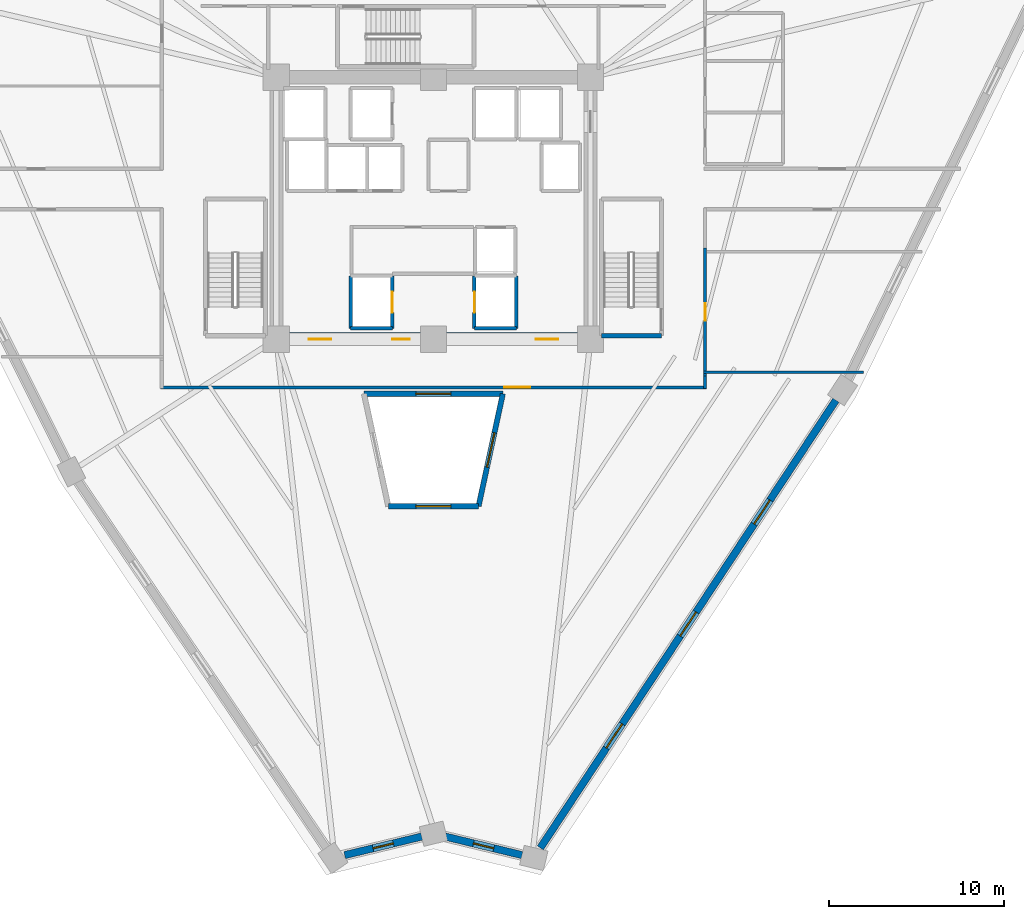
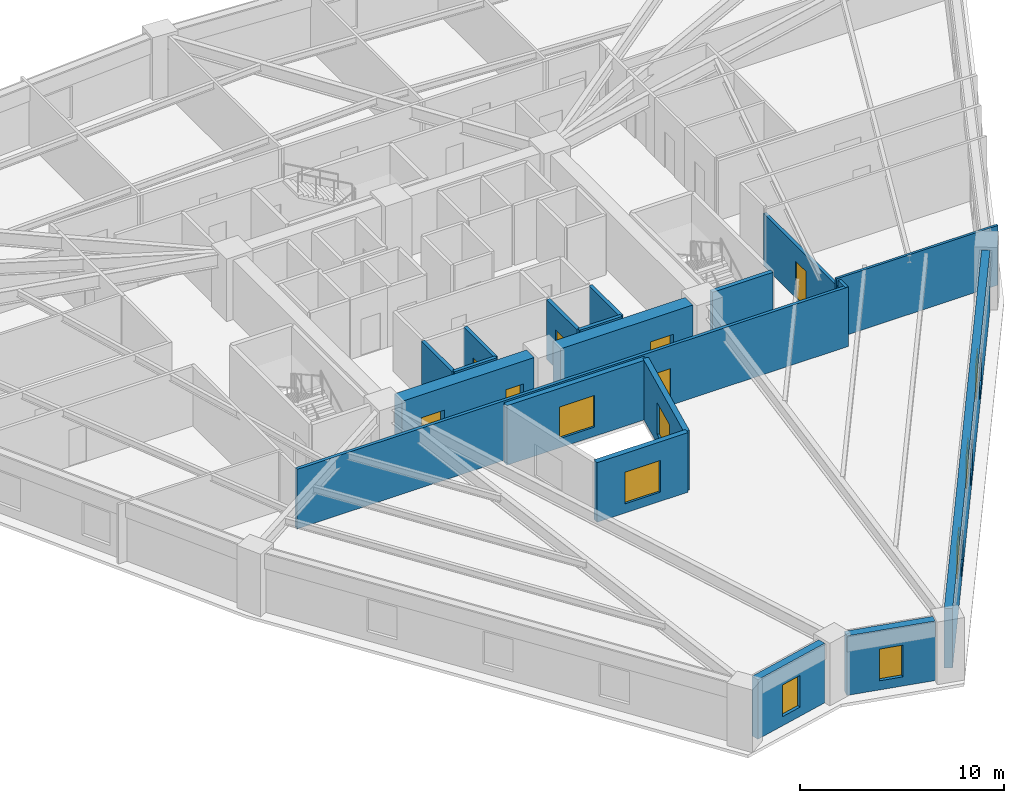
# One storey, part 3 of 8: 19 walls, 8 windows, 7 doors, 15 openings.
"""IFC4 building model written with IfcOpenShell, lengths in metres."""

from ifc_helpers import new_model, si_unit, direction, frame, frame_2d, origin, place, context, subcontext, project, spatial, rectangle, extrude, source, transform, mapped, material, layer, layer_set, type_object, element, fill, save


model = new_model("IFC4")

# Units and contexts
model_context = context("Model", 3, precision=1e-05, world=origin(), true_north=direction((0.0, 1.0)))
body_context = subcontext(model_context, "Body", "Model", "MODEL_VIEW")
ifc_project = project(units=[si_unit("LENGTHUNIT", "METRE"), si_unit("AREAUNIT", "SQUARE_METRE"), si_unit("VOLUMEUNIT", "CUBIC_METRE"), si_unit("PLANEANGLEUNIT", "RADIAN"), si_unit("MASSUNIT", "GRAM", prefix="KILO")], contexts=[model_context])

# Site, building, storey
site_placement = place(None, origin())
site = spatial("IfcSite", under=ifc_project, at=site_placement, CompositionType="ELEMENT")
building_placement = place(site_placement, origin())
building = spatial("IfcBuilding", under=site, at=building_placement, Name="Liaohun Quay Tower", CompositionType="ELEMENT")
storey_placement = place(building_placement, frame((0.0, 0.0, 162.75)))
storey = spatial("IfcBuildingStorey", under=building, at=storey_placement, Name="L42", CompositionType="ELEMENT", Elevation=162.75)

# Wall, opening, window
ifc_material_1 = material(Name="Concrete C50", Category="concrete")
ifc_layer_1 = layer(ifc_material_1, 0.300048828125, Name="Concrete C50", Category="concrete")
ifc_layer_set_1 = layer_set([ifc_layer_1], Name="Concrete C50")
wall_type_1 = type_object("IfcWallType", Name="WAL-ATR-300", PredefinedType="SOLIDWALL", material=ifc_layer_set_1)
wall_1_placement = place(storey_placement, frame((56.02197265625, 43.3701171875, 0.0), z_axis=(0.0, 0.0, 1.0), x_axis=(1.0, 0.0, 0.0)))
wall_1 = element("IfcWall", 1, at=wall_1_placement, inside=storey, type_object=wall_type_1, Name="L42 Atrium Fire Compartment Wall 2", PredefinedType="SOLIDWALL", context=body_context, shape_type="SweptSolid", body=[
    extrude(rectangle(XDim=7.9560546875, YDim=0.300048828125, at=frame_2d((3.97802734375, 0.0))), origin(), (0.0, 0.0, 1.0), 3.570068359375),
])
shared_shape_1 = source(origin(), body_context, "Body", "SweptSolid", [
    extrude(rectangle(XDim=2.0, YDim=1.89990234375, at=frame_2d((1.0, 0.949951171875))), frame((0.0, 0.159912109375, 0.0), z_axis=(0.0, -1.0, 0.0), x_axis=(1.0, 0.0, 0.0)), (0.0, 0.0, 1.0), 0.320068359375),
])
opening_1_placement = place(wall_1_placement, frame((2.97802734375, 0.0, 0.550048828125)))
opening_1 = element("IfcOpeningElement", 2, at=opening_1_placement, cuts=wall_1, Name="Opening W07", PredefinedType="OPENING", context=body_context, shape_type="MappedRepresentation", body=[
    mapped(shared_shape_1, transform((0.0, 0.0, 0.0), x_axis=(1.0, 0.0, 0.0), y_axis=(0.0, 1.0, 0.0), z_axis=(0.0, 0.0, 1.0), scale=1.0)),
])
ifc_material_2 = material(Name="Class A 180-min fire-resistant insulated glazing", Category="glass")
window_type_1 = type_object("IfcWindowType", Name="WIN-ATR-FIR", PartitioningType="DOUBLE_PANEL_VERTICAL", PredefinedType="WINDOW", material=ifc_material_2)
shared_shape_2 = source(origin(), body_context, "Body", "SweptSolid", [
    extrude(rectangle(XDim=2.0, YDim=1.89990234375, at=frame_2d((1.0, 0.949951171875))), frame((0.0, 0.030029296875, 0.0), z_axis=(0.0, -1.0, 0.0), x_axis=(1.0, 0.0, 0.0)), (0.0, 0.0, 1.0), 0.06005859375),
])
window_1_placement = place(opening_1_placement, origin())
window_1 = element("IfcWindow", 3, at=window_1_placement, inside=storey, type_object=window_type_1, Name="L42 Atrium Fire-Resistant Glazing W07-2", OverallHeight=1.89990234375, OverallWidth=2.0, PartitioningType="DOUBLE_PANEL_VERTICAL", PredefinedType="WINDOW", context=body_context, shape_type="MappedRepresentation", body=[
    mapped(shared_shape_2, transform((0.0, 0.0, 0.0), x_axis=(1.0, 0.0, 0.0), y_axis=(0.0, 1.0, 0.0), z_axis=(0.0, 0.0, 1.0), scale=1.0)),
])
fill(opening_1, window_1)

wall_2_placement = place(storey_placement, frame((63.97802734375, 43.3701171875, 0.0), z_axis=(0.0, 0.0, 1.0), x_axis=(-0.211277302898, -0.977426161549, 0.0)))
wall_2 = element("IfcWall", 4, at=wall_2_placement, inside=storey, type_object=wall_type_1, Name="L42 Atrium Fire Compartment Wall 3", PredefinedType="SOLIDWALL", context=body_context, shape_type="SweptSolid", body=[
    extrude(rectangle(XDim=6.5888671875, YDim=0.300048828125, at=frame_2d((3.29443359375, 0.0))), origin(), (0.0, 0.0, 1.0), 3.570068359375),
])
opening_2_placement = place(wall_2_placement, frame((2.2939453125, 0.0, 0.550048828125)))
opening_2 = element("IfcOpeningElement", 5, at=opening_2_placement, cuts=wall_2, Name="Opening W07", PredefinedType="OPENING", context=body_context, shape_type="MappedRepresentation", body=[
    mapped(shared_shape_1, transform((0.0, 0.0, 0.0), x_axis=(1.0, 0.0, 0.0), y_axis=(0.0, 1.0, 0.0), z_axis=(0.0, 0.0, 1.0), scale=1.0)),
])
window_2_placement = place(opening_2_placement, origin())
window_2 = element("IfcWindow", 6, at=window_2_placement, inside=storey, type_object=window_type_1, Name="L42 Atrium Fire-Resistant Glazing W07-3", OverallHeight=1.89990234375, OverallWidth=2.0, PartitioningType="DOUBLE_PANEL_VERTICAL", PredefinedType="WINDOW", context=body_context, shape_type="MappedRepresentation", body=[
    mapped(shared_shape_2, transform((0.0, 0.0, 0.0), x_axis=(1.0, 0.0, 0.0), y_axis=(0.0, 1.0, 0.0), z_axis=(0.0, 0.0, 1.0), scale=1.0)),
])
fill(opening_2, window_2)

wall_3_placement = place(storey_placement, frame((62.5859375, 36.929931640625, 0.0), z_axis=(0.0, 0.0, 1.0), x_axis=(-1.0, 0.0, 0.0)))
wall_3 = element("IfcWall", 7, at=wall_3_placement, inside=storey, type_object=wall_type_1, Name="L42 Atrium Fire Compartment Wall 4", PredefinedType="SOLIDWALL", context=body_context, shape_type="SweptSolid", body=[
    extrude(rectangle(XDim=5.171875, YDim=0.300048828125, at=frame_2d((2.5859375, 0.0))), origin(), (0.0, 0.0, 1.0), 3.570068359375),
])
opening_3_placement = place(wall_3_placement, frame((1.5859375, 0.0, 0.550048828125)))
opening_3 = element("IfcOpeningElement", 8, at=opening_3_placement, cuts=wall_3, Name="Opening W07", PredefinedType="OPENING", context=body_context, shape_type="MappedRepresentation", body=[
    mapped(shared_shape_1, transform((0.0, 0.0, 0.0), x_axis=(1.0, 0.0, 0.0), y_axis=(0.0, 1.0, 0.0), z_axis=(0.0, 0.0, 1.0), scale=1.0)),
])
window_3_placement = place(opening_3_placement, origin())
window_3 = element("IfcWindow", 9, at=window_3_placement, inside=storey, type_object=window_type_1, Name="L42 Atrium Fire-Resistant Glazing W07-4", OverallHeight=1.89990234375, OverallWidth=2.0, PartitioningType="DOUBLE_PANEL_VERTICAL", PredefinedType="WINDOW", context=body_context, shape_type="MappedRepresentation", body=[
    mapped(shared_shape_2, transform((0.0, 0.0, 0.0), x_axis=(1.0, 0.0, 0.0), y_axis=(0.0, 1.0, 0.0), z_axis=(0.0, 0.0, 1.0), scale=1.0)),
])
fill(opening_3, window_3)

# Wall, opening, door
ifc_material_3 = material(Name="Concrete C60", Category="concrete")
ifc_layer_2 = layer(ifc_material_3, 0.75, Name="Concrete C60", Category="concrete")
ifc_layer_set_2 = layer_set([ifc_layer_2], Name="Concrete C60")
wall_type_2 = type_object("IfcWallType", Name="WAL-COR-Z2", PredefinedType="SHEAR", material=ifc_layer_set_2)
wall_4_placement = place(storey_placement, frame((68.25, 46.5, 0.0), z_axis=(0.0, 0.0, 1.0), x_axis=(-1.0, 0.0, 0.0)))
wall_4 = element("IfcWall", 10, at=wall_4_placement, inside=storey, type_object=wall_type_2, Name="L42 Central Core Shear Wall S-E", PredefinedType="SHEAR", context=body_context, shape_type="SweptSolid", body=[
    extrude(rectangle(XDim=7.5, YDim=0.75, at=frame_2d((3.75, 0.0))), origin(), (0.0, 0.0, 1.0), 3.570068359375),
])
shared_shape_3 = source(origin(), body_context, "Body", "SweptSolid", [
    extrude(rectangle(XDim=1.300048828125, YDim=2.199951171875, at=frame_2d((0.64990234375, 1.10009765625))), frame((0.0, 0.385009765625, 0.0), z_axis=(0.0, -1.0, 0.0), x_axis=(1.0, 0.0, 0.0)), (0.0, 0.0, 1.0), 0.77001953125),
])
opening_4_placement = place(wall_4_placement, frame((1.10009765625, 0.0, 0.0)))
opening_4 = element("IfcOpeningElement", 11, at=opening_4_placement, cuts=wall_4, Name="Opening FD1", PredefinedType="OPENING", context=body_context, shape_type="MappedRepresentation", body=[
    mapped(shared_shape_3, transform((0.0, 0.0, 0.0), x_axis=(1.0, 0.0, 0.0), y_axis=(0.0, 1.0, 0.0), z_axis=(0.0, 0.0, 1.0), scale=1.0)),
])
ifc_material_4 = material(Name="Galvanised steel smokeproof fire door", Category="steel")
door_type_1 = type_object("IfcDoorType", Name="DOR-FFL-1300", OperationType="NOTDEFINED", PredefinedType="DOOR", material=ifc_material_4)
shared_shape_4 = source(origin(), body_context, "Body", "SweptSolid", [
    extrude(rectangle(XDim=1.300048828125, YDim=2.199951171875, at=frame_2d((0.64990234375, 1.10009765625))), frame((0.0, 0.02490234375, 0.0), z_axis=(0.0, -1.0, 0.0), x_axis=(1.0, 0.0, 0.0)), (0.0, 0.0, 1.0), 0.050048828125),
])
door_1_placement = place(opening_4_placement, origin())
door_1 = element("IfcDoor", 12, at=door_1_placement, inside=storey, type_object=door_type_1, Name="L42 East Core Lift Lobby Smokeproof Door", OperationType="SINGLE_SWING_LEFT", OverallHeight=2.199951171875, OverallWidth=1.300048828125, PredefinedType="DOOR", context=body_context, shape_type="MappedRepresentation", body=[
    mapped(shared_shape_4, transform((0.0, 0.0, 0.0), x_axis=(1.0, 0.0, 0.0), y_axis=(0.0, 1.0, 0.0), z_axis=(0.0, 0.0, 1.0), scale=1.0)),
])
fill(opening_4, door_1)

# Wall, openings, doors
wall_5_placement = place(storey_placement, frame((59.25, 46.5, 0.0), z_axis=(0.0, 0.0, 1.0), x_axis=(-1.0, 0.0, 0.0)))
wall_5 = element("IfcWall", 13, at=wall_5_placement, inside=storey, type_object=wall_type_2, Name="L42 Central Core Shear Wall S-W", PredefinedType="SHEAR", context=body_context, shape_type="SweptSolid", body=[
    extrude(rectangle(XDim=7.5, YDim=0.75, at=frame_2d((3.75, 0.0))), origin(), (0.0, 0.0, 1.0), 3.570068359375),
])
opening_5_placement = place(wall_5_placement, frame((5.10009765625, 0.0, 0.0)))
opening_5 = element("IfcOpeningElement", 14, at=opening_5_placement, cuts=wall_5, Name="Opening FD1", PredefinedType="OPENING", context=body_context, shape_type="MappedRepresentation", body=[
    mapped(shared_shape_3, transform((0.0, 0.0, 0.0), x_axis=(1.0, 0.0, 0.0), y_axis=(0.0, 1.0, 0.0), z_axis=(0.0, 0.0, 1.0), scale=1.0)),
])
shared_shape_5 = source(origin(), body_context, "Body", "SweptSolid", [
    extrude(rectangle(XDim=1.0, YDim=2.199951171875, at=frame_2d((0.5, 1.10009765625))), frame((0.0, 0.385009765625, 0.0), z_axis=(0.0, -1.0, 0.0), x_axis=(1.0, 0.0, 0.0)), (0.0, 0.0, 1.0), 0.77001953125),
])
opening_6_placement = place(wall_5_placement, frame((0.60009765625, 0.0, 0.0)))
opening_6 = element("IfcOpeningElement", 15, at=opening_6_placement, cuts=wall_5, Name="Opening FD2", PredefinedType="OPENING", context=body_context, shape_type="MappedRepresentation", body=[
    mapped(shared_shape_5, transform((0.0, 0.0, 0.0), x_axis=(1.0, 0.0, 0.0), y_axis=(0.0, 1.0, 0.0), z_axis=(0.0, 0.0, 1.0), scale=1.0)),
])
door_2_placement = place(opening_5_placement, origin())
door_2 = element("IfcDoor", 16, at=door_2_placement, inside=storey, type_object=door_type_1, Name="L42 West Core Lift Lobby Smokeproof Door", OperationType="SINGLE_SWING_RIGHT", OverallHeight=2.199951171875, OverallWidth=1.300048828125, PredefinedType="DOOR", context=body_context, shape_type="MappedRepresentation", body=[
    mapped(shared_shape_4, transform((0.0, 0.0, 0.0), x_axis=(1.0, 0.0, 0.0), y_axis=(0.0, 1.0, 0.0), z_axis=(0.0, 0.0, 1.0), scale=1.0)),
])
fill(opening_5, door_2)
ifc_material_5 = material(Name="Galvanised steel smokeproof lobby fire door", Category="steel")
door_type_2 = type_object("IfcDoorType", Name="DOR-FFL-1000", OperationType="NOTDEFINED", PredefinedType="DOOR", material=ifc_material_5)
shared_shape_6 = source(origin(), body_context, "Body", "SweptSolid", [
    extrude(rectangle(XDim=1.0, YDim=2.199951171875, at=frame_2d((0.5, 1.10009765625))), frame((0.0, 0.02490234375, 0.0), z_axis=(0.0, -1.0, 0.0), x_axis=(1.0, 0.0, 0.0)), (0.0, 0.0, 1.0), 0.050048828125),
])
door_3_placement = place(opening_6_placement, origin())
door_3 = element("IfcDoor", 17, at=door_3_placement, inside=storey, type_object=door_type_2, Name="L42 South Firefighting Lobby Smokeproof Door", OperationType="SINGLE_SWING_LEFT", OverallHeight=2.199951171875, OverallWidth=1.0, PredefinedType="DOOR", context=body_context, shape_type="MappedRepresentation", body=[
    mapped(shared_shape_6, transform((0.0, 0.0, 0.0), x_axis=(1.0, 0.0, 0.0), y_axis=(0.0, 1.0, 0.0), z_axis=(0.0, 0.0, 1.0), scale=1.0)),
])
fill(opening_6, door_3)

# Wall, opening, window
ifc_material_6 = material(Name="Precast concrete C50 insulated sandwich", Category="concrete")
ifc_layer_3 = layer(ifc_material_6, 0.419921875, Name="Precast concrete C50 insulated sandwich", Category="concrete")
ifc_layer_set_3 = layer_set([ifc_layer_3], Name="Precast concrete C50 insulated sandwich")
wall_type_3 = type_object("IfcWallType", Name="WAL-EXT-Z12", PredefinedType="SOLIDWALL", material=ifc_layer_set_3)
wall_6_placement = place(storey_placement, frame((60.6708984375, 18.009033203125, 0.0), z_axis=(0.0, 0.0, 1.0), x_axis=(0.972047876223, -0.234782721531, 0.0)))
wall_6 = element("IfcWall", 18, at=wall_6_placement, inside=storey, type_object=wall_type_3, Name="L42 Brutalist Precast Pier Wall 01", PredefinedType="SOLIDWALL", context=body_context, shape_type="SweptSolid", body=[
    extrude(rectangle(XDim=4.53173828125, YDim=0.419921875, at=frame_2d((2.265869140625, 0.0))), origin(), (0.0, 0.0, 1.0), 3.570068359375),
])
shared_shape_7 = source(origin(), body_context, "Body", "SweptSolid", [
    extrude(rectangle(XDim=1.199951171875, YDim=1.89990234375, at=frame_2d((0.60009765625, 0.949951171875))), frame((0.0, 0.219970703125, 0.0), z_axis=(0.0, -1.0, 0.0), x_axis=(1.0, 0.0, 0.0)), (0.0, 0.0, 1.0), 0.43994140625),
])
opening_7_placement = place(wall_6_placement, frame((1.666015625, 0.0, 0.550048828125)))
opening_7 = element("IfcOpeningElement", 19, at=opening_7_placement, cuts=wall_6, Name="Opening W05", PredefinedType="OPENING", context=body_context, shape_type="MappedRepresentation", body=[
    mapped(shared_shape_7, transform((0.0, 0.0, 0.0), x_axis=(1.0, 0.0, 0.0), y_axis=(0.0, 1.0, 0.0), z_axis=(0.0, 0.0, 1.0), scale=1.0)),
])
ifc_material_7 = material(Name="Triple Low-E corner notch glazing", Category="glass")
window_type_2 = type_object("IfcWindowType", Name="WIN-NOTCH", PartitioningType="SINGLE_PANEL", PredefinedType="WINDOW", material=ifc_material_7)
shared_shape_8 = source(origin(), body_context, "Body", "SweptSolid", [
    extrude(rectangle(XDim=1.199951171875, YDim=1.89990234375, at=frame_2d((0.60009765625, 0.949951171875))), frame((0.0, 0.030029296875, 0.0), z_axis=(0.0, -1.0, 0.0), x_axis=(1.0, 0.0, 0.0)), (0.0, 0.0, 1.0), 0.06005859375),
])
window_4_placement = place(opening_7_placement, origin())
window_4 = element("IfcWindow", 20, at=window_4_placement, inside=storey, type_object=window_type_2, Name="L42 Corner Notch Window W05-01", OverallHeight=1.89990234375, OverallWidth=1.199951171875, PartitioningType="SINGLE_PANEL", PredefinedType="WINDOW", context=body_context, shape_type="MappedRepresentation", body=[
    mapped(shared_shape_8, transform((0.0, 0.0, 0.0), x_axis=(1.0, 0.0, 0.0), y_axis=(0.0, 1.0, 0.0), z_axis=(0.0, 0.0, 1.0), scale=1.0)),
])
fill(opening_7, window_4)

# Wall, openings, windows
wall_7_placement = place(storey_placement, frame((66.126953125, 17.35888671875, 0.0), z_axis=(0.0, 0.0, 1.0), x_axis=(0.550882826914, 0.834582596878, 0.0)))
wall_7 = element("IfcWall", 21, at=wall_7_placement, inside=storey, type_object=wall_type_3, Name="L42 Brutalist Precast Pier Wall 02", PredefinedType="SOLIDWALL", context=body_context, shape_type="SweptSolid", body=[
    extrude(rectangle(XDim=30.730712890625, YDim=0.419921875, at=frame_2d((15.365234375, 0.0))), origin(), (0.0, 0.0, 1.0), 3.570068359375),
])
shared_shape_9 = source(origin(), body_context, "Body", "SweptSolid", [
    extrude(rectangle(XDim=1.64990234375, YDim=1.949951171875, at=frame_2d((0.824951171875, 0.97509765625))), frame((0.0, 0.219970703125, 0.0), z_axis=(0.0, -1.0, 0.0), x_axis=(1.0, 0.0, 0.0)), (0.0, 0.0, 1.0), 0.43994140625),
])
opening_8_placement = place(wall_7_placement, frame((6.85791015625, 0.0, 0.550048828125)))
opening_8 = element("IfcOpeningElement", 22, at=opening_8_placement, cuts=wall_7, Name="Opening W02", PredefinedType="OPENING", context=body_context, shape_type="MappedRepresentation", body=[
    mapped(shared_shape_9, transform((0.0, 0.0, 0.0), x_axis=(1.0, 0.0, 0.0), y_axis=(0.0, 1.0, 0.0), z_axis=(0.0, 0.0, 1.0), scale=1.0)),
])
opening_9_placement = place(wall_7_placement, frame((14.5400390625, 0.0, 0.550048828125)))
opening_9 = element("IfcOpeningElement", 23, at=opening_9_placement, cuts=wall_7, Name="Opening W02", PredefinedType="OPENING", context=body_context, shape_type="MappedRepresentation", body=[
    mapped(shared_shape_9, transform((0.0, 0.0, 0.0), x_axis=(1.0, 0.0, 0.0), y_axis=(0.0, 1.0, 0.0), z_axis=(0.0, 0.0, 1.0), scale=1.0)),
])
opening_10_placement = place(wall_7_placement, frame((22.222900390625, 0.0, 0.550048828125)))
opening_10 = element("IfcOpeningElement", 24, at=opening_10_placement, cuts=wall_7, Name="Opening W02", PredefinedType="OPENING", context=body_context, shape_type="MappedRepresentation", body=[
    mapped(shared_shape_9, transform((0.0, 0.0, 0.0), x_axis=(1.0, 0.0, 0.0), y_axis=(0.0, 1.0, 0.0), z_axis=(0.0, 0.0, 1.0), scale=1.0)),
])
ifc_material_8 = material(Name="Triple Low-E argon glazing in thermally broken aluminium", Category="aluminium")
window_type_3 = type_object("IfcWindowType", Name="WIN-PUN-Z2", PartitioningType="DOUBLE_PANEL_VERTICAL", PredefinedType="WINDOW", material=ifc_material_8)
shared_shape_10 = source(origin(), body_context, "Body", "SweptSolid", [
    extrude(rectangle(XDim=1.64990234375, YDim=1.949951171875, at=frame_2d((0.824951171875, 0.97509765625))), frame((0.0, 0.030029296875, 0.0), z_axis=(0.0, -1.0, 0.0), x_axis=(1.0, 0.0, 0.0)), (0.0, 0.0, 1.0), 0.06005859375),
])
window_5_placement = place(opening_8_placement, origin())
window_5 = element("IfcWindow", 25, at=window_5_placement, inside=storey, type_object=window_type_3, Name="L42 Recessed Cold-Climate Punched Window 02-1", OverallHeight=1.949951171875, OverallWidth=1.64990234375, PartitioningType="DOUBLE_PANEL_VERTICAL", PredefinedType="WINDOW", context=body_context, shape_type="MappedRepresentation", body=[
    mapped(shared_shape_10, transform((0.0, 0.0, 0.0), x_axis=(1.0, 0.0, 0.0), y_axis=(0.0, 1.0, 0.0), z_axis=(0.0, 0.0, 1.0), scale=1.0)),
])
fill(opening_8, window_5)
window_6_placement = place(opening_9_placement, origin())
window_6 = element("IfcWindow", 26, at=window_6_placement, inside=storey, type_object=window_type_3, Name="L42 Recessed Cold-Climate Punched Window 02-2", OverallHeight=1.949951171875, OverallWidth=1.64990234375, PartitioningType="DOUBLE_PANEL_VERTICAL", PredefinedType="WINDOW", context=body_context, shape_type="MappedRepresentation", body=[
    mapped(shared_shape_10, transform((0.0, 0.0, 0.0), x_axis=(1.0, 0.0, 0.0), y_axis=(0.0, 1.0, 0.0), z_axis=(0.0, 0.0, 1.0), scale=1.0)),
])
fill(opening_9, window_6)
window_7_placement = place(opening_10_placement, origin())
window_7 = element("IfcWindow", 27, at=window_7_placement, inside=storey, type_object=window_type_3, Name="L42 Recessed Cold-Climate Punched Window 02-3", OverallHeight=1.949951171875, OverallWidth=1.64990234375, PartitioningType="DOUBLE_PANEL_VERTICAL", PredefinedType="WINDOW", context=body_context, shape_type="MappedRepresentation", body=[
    mapped(shared_shape_10, transform((0.0, 0.0, 0.0), x_axis=(1.0, 0.0, 0.0), y_axis=(0.0, 1.0, 0.0), z_axis=(0.0, 0.0, 1.0), scale=1.0)),
])
fill(opening_10, window_7)

# Wall, opening, window
wall_8_placement = place(storey_placement, frame((54.916015625, 16.944091796875, 0.0), z_axis=(0.0, 0.0, 1.0), x_axis=(0.972096587911, 0.234580953556, 0.0)))
wall_8 = element("IfcWall", 28, at=wall_8_placement, inside=storey, type_object=wall_type_3, Name="L42 Brutalist Precast Pier Wall 12", PredefinedType="SOLIDWALL", context=body_context, shape_type="SweptSolid", body=[
    extrude(rectangle(XDim=4.539794921875, YDim=0.419921875, at=frame_2d((2.27001953125, 0.0))), origin(), (0.0, 0.0, 1.0), 3.570068359375),
])
opening_11_placement = place(wall_8_placement, frame((1.669921875, 0.0, 0.550048828125)))
opening_11 = element("IfcOpeningElement", 29, at=opening_11_placement, cuts=wall_8, Name="Opening W05", PredefinedType="OPENING", context=body_context, shape_type="MappedRepresentation", body=[
    mapped(shared_shape_7, transform((0.0, 0.0, 0.0), x_axis=(1.0, 0.0, 0.0), y_axis=(0.0, 1.0, 0.0), z_axis=(0.0, 0.0, 1.0), scale=1.0)),
])
window_8_placement = place(opening_11_placement, origin())
window_8 = element("IfcWindow", 30, at=window_8_placement, inside=storey, type_object=window_type_2, Name="L42 Corner Notch Window W05-12", OverallHeight=1.89990234375, OverallWidth=1.199951171875, PartitioningType="SINGLE_PANEL", PredefinedType="WINDOW", context=body_context, shape_type="MappedRepresentation", body=[
    mapped(shared_shape_8, transform((0.0, 0.0, 0.0), x_axis=(1.0, 0.0, 0.0), y_axis=(0.0, 1.0, 0.0), z_axis=(0.0, 0.0, 1.0), scale=1.0)),
])
fill(opening_11, window_8)

# Wall, opening, door
ifc_material_9 = material(Name="Autoclaved aerated concrete blockwork", Category="masonry")
ifc_layer_4 = layer(ifc_material_9, 0.179931640625, Name="Autoclaved aerated concrete blockwork", Category="masonry")
ifc_layer_set_4 = layer_set([ifc_layer_4], Name="Autoclaved aerated concrete blockwork")
wall_type_4 = type_object("IfcWallType", Name="WAL-PRT-COR", PredefinedType="PARTITIONING", material=ifc_layer_set_4)
wall_9_placement = place(storey_placement, frame((75.6298828125, 43.739990234375, 0.0), z_axis=(0.0, 0.0, 1.0), x_axis=(-1.0, 0.0, 0.0)))
wall_9 = element("IfcWall", 31, at=wall_9_placement, inside=storey, type_object=wall_type_4, Name="L42 Interior Partition Wall 019", PredefinedType="PARTITIONING", context=body_context, shape_type="SweptSolid", body=[
    extrude(rectangle(XDim=31.259765625, YDim=0.179931640625, at=frame_2d((15.6298828125, 0.0))), origin(), (0.0, 0.0, 1.0), 3.570068359375),
])
shared_shape_11 = source(origin(), body_context, "Body", "SweptSolid", [
    extrude(rectangle(XDim=1.5, YDim=2.199951171875, at=frame_2d((0.75, 1.10009765625))), frame((0.0, 0.099853515625, 0.0), z_axis=(0.0, -1.0, 0.0), x_axis=(1.0, 0.0, 0.0)), (0.0, 0.0, 1.0), 0.199951171875),
])
opening_12_placement = place(wall_9_placement, frame((10.080078125, 0.0, 0.0)))
opening_12 = element("IfcOpeningElement", 32, at=opening_12_placement, cuts=wall_9, Name="Opening OD2", PredefinedType="OPENING", context=body_context, shape_type="MappedRepresentation", body=[
    mapped(shared_shape_11, transform((0.0, 0.0, 0.0), x_axis=(1.0, 0.0, 0.0), y_axis=(0.0, 1.0, 0.0), z_axis=(0.0, 0.0, 1.0), scale=1.0)),
])
ifc_material_10 = material(Name="Acoustic oak veneer double door")
door_type_3 = type_object("IfcDoorType", Name="DOR-OFF-1500", OperationType="DOUBLE_DOOR_SINGLE_SWING", PredefinedType="DOOR", material=ifc_material_10)
shared_shape_12 = source(origin(), body_context, "Body", "SweptSolid", [
    extrude(rectangle(XDim=1.5, YDim=2.199951171875, at=frame_2d((0.75, 1.10009765625))), frame((0.0, 0.02490234375, 0.0), z_axis=(0.0, -1.0, 0.0), x_axis=(1.0, 0.0, 0.0)), (0.0, 0.0, 1.0), 0.050048828125),
])
door_4_placement = place(opening_12_placement, origin())
door_4 = element("IfcDoor", 33, at=door_4_placement, inside=storey, type_object=door_type_3, Name="L42 Open-Plan Office Workplace 10 Door", OperationType="DOUBLE_DOOR_SINGLE_SWING", OverallHeight=2.199951171875, OverallWidth=1.5, PredefinedType="DOOR", context=body_context, shape_type="MappedRepresentation", body=[
    mapped(shared_shape_12, transform((0.0, 0.0, 0.0), x_axis=(1.0, 0.0, 0.0), y_axis=(0.0, 1.0, 0.0), z_axis=(0.0, 0.0, 1.0), scale=1.0)),
])
fill(opening_12, door_4)

wall_10_placement = place(storey_placement, frame((75.56005859375, 51.715087890625, 0.0), z_axis=(0.0, 0.0, 1.0), x_axis=(0.0, -1.0, 0.0)))
wall_10 = element("IfcWall", 34, at=wall_10_placement, inside=storey, type_object=wall_type_4, Name="L42 Interior Partition Wall 020", PredefinedType="PARTITIONING", context=body_context, shape_type="SweptSolid", body=[
    extrude(rectangle(XDim=7.330078125, YDim=0.179931640625, at=frame_2d((3.6650390625, 0.0))), origin(), (0.0, 0.0, 1.0), 3.155029296875),
])
shared_shape_13 = source(origin(), body_context, "Body", "SweptSolid", [
    extrude(rectangle(XDim=1.0, YDim=2.199951171875, at=frame_2d((0.5, 1.10009765625))), frame((0.0, 0.099853515625, 0.0), z_axis=(0.0, -1.0, 0.0), x_axis=(1.0, 0.0, 0.0)), (0.0, 0.0, 1.0), 0.199951171875),
])
opening_13_placement = place(wall_10_placement, frame((3.1650390625, 0.0, 0.0)))
opening_13 = element("IfcOpeningElement", 35, at=opening_13_placement, cuts=wall_10, Name="Opening OD1", PredefinedType="OPENING", context=body_context, shape_type="MappedRepresentation", body=[
    mapped(shared_shape_13, transform((0.0, 0.0, 0.0), x_axis=(1.0, 0.0, 0.0), y_axis=(0.0, 1.0, 0.0), z_axis=(0.0, 0.0, 1.0), scale=1.0)),
])
ifc_material_11 = material(Name="Solid-core oak veneer timber leaf in steel frame", Category="steel")
door_type_4 = type_object("IfcDoorType", Name="DOR-OFF-1000", OperationType="NOTDEFINED", PredefinedType="DOOR", material=ifc_material_11)
door_5_placement = place(opening_13_placement, origin())
door_5 = element("IfcDoor", 36, at=door_5_placement, inside=storey, type_object=door_type_4, Name="L42 Executive Partner Office 11 Door", OperationType="SINGLE_SWING_RIGHT", OverallHeight=2.199951171875, OverallWidth=1.0, PredefinedType="DOOR", context=body_context, shape_type="MappedRepresentation", body=[
    mapped(shared_shape_6, transform((0.0, 0.0, 0.0), x_axis=(1.0, 0.0, 0.0), y_axis=(0.0, 1.0, 0.0), z_axis=(0.0, 0.0, 1.0), scale=1.0)),
])
fill(opening_13, door_5)

# Walls
wall_11_placement = place(storey_placement, frame((75.56005859375, 44.385009765625, 0.0), z_axis=(0.0, 0.0, 1.0), x_axis=(0.0, -1.0, 0.0)))
element("IfcWall", 37, at=wall_11_placement, inside=storey, type_object=wall_type_4, Name="L42 Interior Partition Wall 038", PredefinedType="PARTITIONING", context=body_context, shape_type="SweptSolid", body=[
    extrude(rectangle(XDim=0.715087890625, YDim=0.179931640625, at=frame_2d((0.357421875, 0.0))), origin(), (0.0, 0.0, 1.0), 3.570068359375),
])
ifc_material_12 = material(Name="Gypsum board on twin steel studs", Category="steel")
ifc_layer_5 = layer(ifc_material_12, 0.139892578125, Name="Gypsum board on twin steel studs", Category="steel")
ifc_layer_set_5 = layer_set([ifc_layer_5], Name="Gypsum board on twin steel studs")
wall_type_5 = type_object("IfcWallType", Name="WAL-PRT-OFF", PredefinedType="PARTITIONING", material=ifc_layer_set_5)
wall_12_placement = place(storey_placement, frame((75.4599609375, 44.60009765625, 0.0), z_axis=(0.0, 0.0, 1.0), x_axis=(1.0, 0.0, 0.0)))
element("IfcWall", 38, at=wall_12_placement, inside=storey, type_object=wall_type_5, Name="L42 Interior Partition Wall 043", PredefinedType="PARTITIONING", context=body_context, shape_type="SweptSolid", body=[
    extrude(rectangle(XDim=9.171142578125, YDim=0.139892578125, at=frame_2d((4.58544921875, 0.0))), origin(), (0.0, 0.0, 1.0), 3.570068359375),
])
ifc_layer_6 = layer(ifc_material_1, 0.239990234375, Name="Concrete C50", Category="concrete")
ifc_layer_set_6 = layer_set([ifc_layer_6], Name="Concrete C50")
wall_type_6 = type_object("IfcWallType", Name="WAL-SHF-200", PredefinedType="SOLIDWALL", material=ifc_layer_set_6)
wall_13_placement = place(storey_placement, frame((69.6201171875, 46.699951171875, 0.0), z_axis=(0.0, 0.0, 1.0), x_axis=(1.0, 0.0, 0.0)))
element("IfcWall", 39, at=wall_13_placement, inside=storey, type_object=wall_type_6, Name="L42 Stairwell ST-2 Structural Core Wall S", PredefinedType="SOLIDWALL", context=body_context, shape_type="SweptSolid", body=[
    extrude(rectangle(XDim=3.43994140625, YDim=0.239990234375, at=frame_2d((1.719970703125, 0.0))), origin(), (0.0, 0.0, 1.0), 3.570068359375),
])
wall_14_placement = place(storey_placement, frame((55.25, 47.1201171875, 0.0), z_axis=(0.0, 0.0, 1.0), x_axis=(1.0, 0.0, 0.0)))
element("IfcWall", 40, at=wall_14_placement, inside=storey, type_object=wall_type_6, Name="L42 Lift FF-01 Hoistway Wall S", PredefinedType="SOLIDWALL", context=body_context, shape_type="SweptSolid", body=[
    extrude(rectangle(XDim=2.39990234375, YDim=0.199951171875, at=frame_2d((1.199951171875, 0.0))), origin(), (0.0, 0.0, 1.0), 3.570068359375),
])

# Wall, opening, door
wall_15_placement = place(storey_placement, frame((57.64990234375, 47.1201171875, 0.0), z_axis=(0.0, 0.0, 1.0), x_axis=(0.0, 1.0, 0.0)))
wall_15 = element("IfcWall", 41, at=wall_15_placement, inside=storey, type_object=wall_type_6, Name="L42 Lift FF-01 Hoistway Wall E", PredefinedType="SOLIDWALL", context=body_context, shape_type="SweptSolid", body=[
    extrude(rectangle(XDim=3.0, YDim=0.199951171875, at=frame_2d((1.5, 0.0))), origin(), (0.0, 0.0, 1.0), 3.570068359375),
])
shared_shape_14 = source(origin(), body_context, "Body", "SweptSolid", [
    extrude(rectangle(XDim=1.199951171875, YDim=2.300048828125, at=frame_2d((0.60009765625, 1.14990234375))), frame((0.0, 0.10986328125, 0.0), z_axis=(0.0, -1.0, 0.0), x_axis=(1.0, 0.0, 0.0)), (0.0, 0.0, 1.0), 0.219970703125),
])
opening_14_placement = place(wall_15_placement, frame((0.89990234375, 0.0, 0.0)))
opening_14 = element("IfcOpeningElement", 42, at=opening_14_placement, cuts=wall_15, Name="Opening LD2", PredefinedType="OPENING", context=body_context, shape_type="MappedRepresentation", body=[
    mapped(shared_shape_14, transform((0.0, 0.0, 0.0), x_axis=(1.0, 0.0, 0.0), y_axis=(0.0, 1.0, 0.0), z_axis=(0.0, 0.0, 1.0), scale=1.0)),
])
ifc_material_13 = material(Name="Brushed stainless steel stretcher landing door", Category="steel")
door_type_5 = type_object("IfcDoorType", Name="DOR-LFT-1200", OperationType="SLIDING_TO_LEFT", PredefinedType="DOOR", material=ifc_material_13)
shared_shape_15 = source(origin(), body_context, "Body", "SweptSolid", [
    extrude(rectangle(XDim=1.199951171875, YDim=2.300048828125, at=frame_2d((0.60009765625, 1.14990234375))), frame((0.0, 0.02490234375, 0.0), z_axis=(0.0, -1.0, 0.0), x_axis=(1.0, 0.0, 0.0)), (0.0, 0.0, 1.0), 0.050048828125),
])
door_6_placement = place(opening_14_placement, origin())
door_6 = element("IfcDoor", 43, at=door_6_placement, inside=storey, type_object=door_type_5, Name="L42 Lift FF-01 Sliding Landing Door", OperationType="SLIDING_TO_LEFT", OverallHeight=2.300048828125, OverallWidth=1.199951171875, PredefinedType="DOOR", context=body_context, shape_type="MappedRepresentation", body=[
    mapped(shared_shape_15, transform((0.0, 0.0, 0.0), x_axis=(1.0, 0.0, 0.0), y_axis=(0.0, 1.0, 0.0), z_axis=(0.0, 0.0, 1.0), scale=1.0)),
])
fill(opening_14, door_6)

# Walls
wall_16_placement = place(storey_placement, frame((55.25, 50.1201171875, 0.0), z_axis=(0.0, 0.0, 1.0), x_axis=(0.0, -1.0, 0.0)))
element("IfcWall", 44, at=wall_16_placement, inside=storey, type_object=wall_type_6, Name="L42 Lift FF-01 Hoistway Wall W", PredefinedType="SOLIDWALL", context=body_context, shape_type="SweptSolid", body=[
    extrude(rectangle(XDim=3.0, YDim=0.199951171875, at=frame_2d((1.5, 0.0))), origin(), (0.0, 0.0, 1.0), 3.570068359375),
])
wall_17_placement = place(storey_placement, frame((62.35009765625, 47.1201171875, 0.0), z_axis=(0.0, 0.0, 1.0), x_axis=(1.0, 0.0, 0.0)))
element("IfcWall", 45, at=wall_17_placement, inside=storey, type_object=wall_type_6, Name="L42 Lift FF-02 Hoistway Wall S", PredefinedType="SOLIDWALL", context=body_context, shape_type="SweptSolid", body=[
    extrude(rectangle(XDim=2.39990234375, YDim=0.199951171875, at=frame_2d((1.199951171875, 0.0))), origin(), (0.0, 0.0, 1.0), 3.570068359375),
])
wall_18_placement = place(storey_placement, frame((64.75, 47.1201171875, 0.0), z_axis=(0.0, 0.0, 1.0), x_axis=(0.0, 1.0, 0.0)))
element("IfcWall", 46, at=wall_18_placement, inside=storey, type_object=wall_type_6, Name="L42 Lift FF-02 Hoistway Wall E", PredefinedType="SOLIDWALL", context=body_context, shape_type="SweptSolid", body=[
    extrude(rectangle(XDim=3.0, YDim=0.199951171875, at=frame_2d((1.5, 0.0))), origin(), (0.0, 0.0, 1.0), 3.570068359375),
])

# Wall, opening, door
wall_19_placement = place(storey_placement, frame((62.35009765625, 50.1201171875, 0.0), z_axis=(0.0, 0.0, 1.0), x_axis=(0.0, -1.0, 0.0)))
wall_19 = element("IfcWall", 47, at=wall_19_placement, inside=storey, type_object=wall_type_6, Name="L42 Lift FF-02 Hoistway Wall W", PredefinedType="SOLIDWALL", context=body_context, shape_type="SweptSolid", body=[
    extrude(rectangle(XDim=3.0, YDim=0.199951171875, at=frame_2d((1.5, 0.0))), origin(), (0.0, 0.0, 1.0), 3.570068359375),
])
opening_15_placement = place(wall_19_placement, frame((0.89990234375, 0.0, 0.0)))
opening_15 = element("IfcOpeningElement", 48, at=opening_15_placement, cuts=wall_19, Name="Opening LD2", PredefinedType="OPENING", context=body_context, shape_type="MappedRepresentation", body=[
    mapped(shared_shape_14, transform((0.0, 0.0, 0.0), x_axis=(1.0, 0.0, 0.0), y_axis=(0.0, 1.0, 0.0), z_axis=(0.0, 0.0, 1.0), scale=1.0)),
])
door_7_placement = place(opening_15_placement, origin())
door_7 = element("IfcDoor", 49, at=door_7_placement, inside=storey, type_object=door_type_5, Name="L42 Lift FF-02 Sliding Landing Door", OperationType="SLIDING_TO_LEFT", OverallHeight=2.300048828125, OverallWidth=1.199951171875, PredefinedType="DOOR", context=body_context, shape_type="MappedRepresentation", body=[
    mapped(shared_shape_15, transform((0.0, 0.0, 0.0), x_axis=(1.0, 0.0, 0.0), y_axis=(0.0, 1.0, 0.0), z_axis=(0.0, 0.0, 1.0), scale=1.0)),
])
fill(opening_15, door_7)

save(model, "model.ifc")
